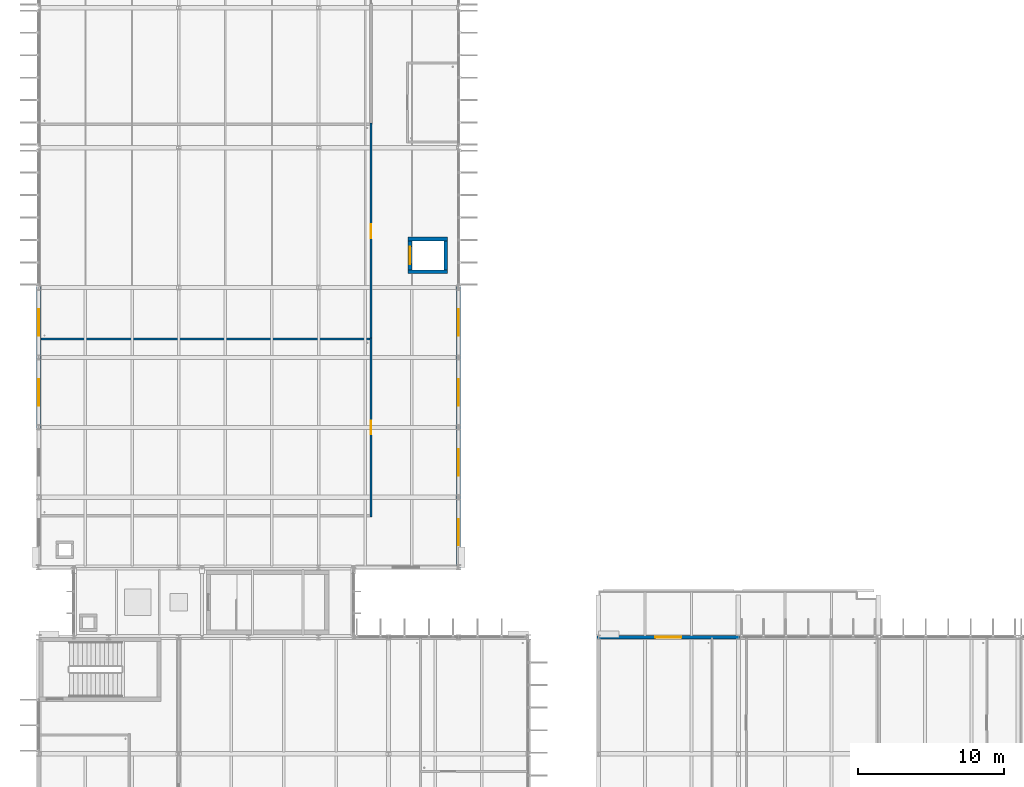
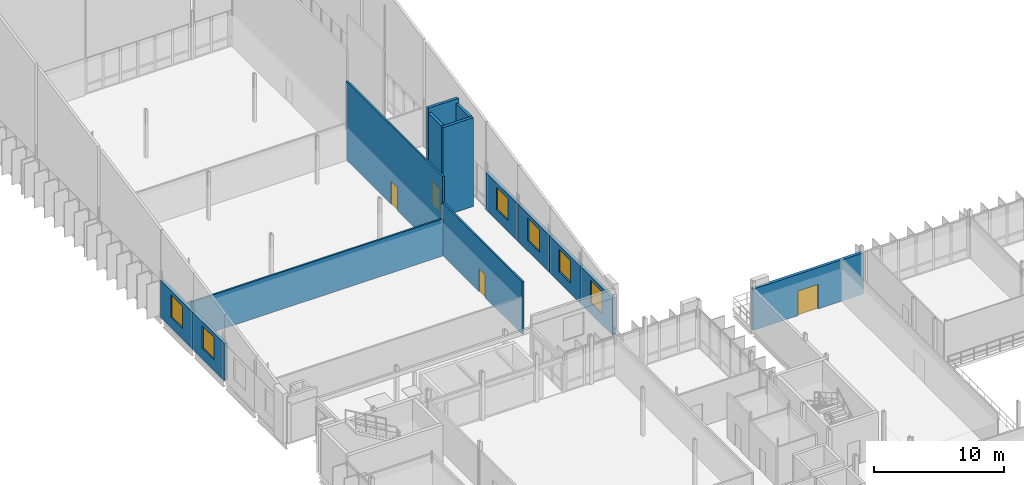
# One storey, part 52 of 93: 14 walls, 6 windows, 4 doors, 10 openings.
"""IFC4 building model written with IfcOpenShell, lengths in metres."""

from ifc_helpers import new_model, si_unit, direction, frame, frame_2d, origin, place, context, subcontext, project, spatial, rectangle, extrude, material, layer, layer_set, type_object, element, fill, save


model = new_model("IFC4")

# Units and contexts
model_context = context("Model", 3, precision=1e-05, world=origin(), true_north=direction((0.0, 1.0)))
body_context = subcontext(model_context, "Body", "Model", "MODEL_VIEW")
ifc_project = project(units=[si_unit("LENGTHUNIT", "METRE"), si_unit("AREAUNIT", "SQUARE_METRE"), si_unit("VOLUMEUNIT", "CUBIC_METRE"), si_unit("PLANEANGLEUNIT", "RADIAN"), si_unit("MASSUNIT", "GRAM", prefix="KILO")], contexts=[model_context])

# Site, building, storey
site_placement = place(None, origin())
site = spatial("IfcSite", under=ifc_project, at=site_placement, CompositionType="ELEMENT")
building_placement = place(site_placement, origin())
building = spatial("IfcBuilding", under=site, at=building_placement, Name="Dunescarp Central Library", CompositionType="ELEMENT")
storey_placement = place(building_placement, frame((0.0, 0.0, 14.10009765625)))
storey = spatial("IfcBuildingStorey", under=building, at=storey_placement, Name="L03", CompositionType="ELEMENT", Elevation=14.10009765625)

# Wall
ifc_material_1 = material(Name="Gypsum plasterboard acoustic partition")
ifc_layer_1 = layer(ifc_material_1, 0.14990234375)
ifc_layer_set_1 = layer_set([ifc_layer_1], Name="Gypsum plasterboard acoustic partition")
wall_type_1 = type_object("IfcWallType", Name="ARC-PT-AC150", PredefinedType="PARTITIONING", material=ifc_layer_set_1)
wall_1_placement = place(storey_placement, frame((0.0400390625, 57.260009765625, 0.0), z_axis=(0.0, 0.0, 1.0), x_axis=(1.0, 0.0, 0.0)))
element("IfcWall", 1, at=wall_1_placement, inside=storey, type_object=wall_type_1, Name="L03 partition PT-L03-0373", PredefinedType="PARTITIONING", context=body_context, shape_type="SweptSolid", body=[
    extrude(rectangle(XDim=22.68505859375, YDim=0.14990234375, at=frame_2d((11.342529296875, 0.0))), origin(), (0.0, 0.0, 1.0), 3.474853515625),
])

# Wall, opening, door
wall_2_placement = place(storey_placement, frame((22.800048828125, 45.06494140625, 0.0), z_axis=(0.0, 0.0, 1.0), x_axis=(0.0, 1.0, 0.0)))
wall_2 = element("IfcWall", 2, at=wall_2_placement, inside=storey, type_object=wall_type_1, Name="L03 partition PT-L03-0374", PredefinedType="PARTITIONING", context=body_context, shape_type="SweptSolid", body=[
    extrude(rectangle(XDim=12.27001953125, YDim=0.14990234375, at=frame_2d((6.135009765625, 0.0))), origin(), (0.0, 0.0, 1.0), 4.928955078125),
])
opening_1_placement = place(wall_2_placement, frame((5.659912109375, 0.0, 0.0)))
opening_1 = element("IfcOpeningElement", 3, at=opening_1_placement, cuts=wall_2, Name="Opening DR-L03-0159", PredefinedType="OPENING", context=body_context, shape_type="SweptSolid", body=[
    extrude(rectangle(XDim=0.949951171875, YDim=2.14990234375, at=frame_2d((0.47509765625, 1.074951171875))), frame((0.0, 0.0849609375, 0.0), z_axis=(0.0, -1.0, 0.0), x_axis=(1.0, 0.0, 0.0)), (0.0, 0.0, 1.0), 0.169921875),
])
ifc_material_2 = material(Name="Hardwood solid-core timber leaf", Category="wood")
door_type_1 = type_object("IfcDoorType", Name="ARC-DR-INT950", OperationType="NOTDEFINED", PredefinedType="DOOR", material=ifc_material_2)
door_1_placement = place(opening_1_placement, origin())
door_1 = element("IfcDoor", 4, at=door_1_placement, inside=storey, type_object=door_type_1, Name="L03 interior door DR-L03-0159", OperationType="SINGLE_SWING_LEFT", OverallHeight=2.14990234375, OverallWidth=0.949951171875, PredefinedType="DOOR", context=body_context, shape_type="SweptSolid", body=[
    extrude(rectangle(XDim=0.949951171875, YDim=2.14990234375, at=frame_2d((0.47509765625, 1.074951171875))), frame((0.0, 0.02490234375, 0.0), z_axis=(0.0, -1.0, 0.0), x_axis=(1.0, 0.0, 0.0)), (0.0, 0.0, 1.0), 0.050048828125),
])
fill(opening_1, door_1)

wall_3_placement = place(storey_placement, frame((22.800048828125, 57.260009765625, 0.0), z_axis=(0.0, 0.0, 1.0), x_axis=(0.0, 1.0, 0.0)))
wall_3 = element("IfcWall", 5, at=wall_3_placement, inside=storey, type_object=wall_type_1, Name="L03 partition PT-L03-0376", PredefinedType="PARTITIONING", context=body_context, shape_type="SweptSolid", body=[
    extrude(rectangle(XDim=14.81494140625, YDim=0.14990234375, at=frame_2d((7.407470703125, 0.0))), origin(), (0.0, 0.0, 1.0), 7.367919921875),
])
opening_2_placement = place(wall_3_placement, frame((6.93310546875, 0.0, 0.0)))
opening_2 = element("IfcOpeningElement", 6, at=opening_2_placement, cuts=wall_3, Name="Opening DR-L03-0160", PredefinedType="OPENING", context=body_context, shape_type="SweptSolid", body=[
    extrude(rectangle(XDim=0.949951171875, YDim=2.14990234375, at=frame_2d((0.47509765625, 1.074951171875))), frame((0.0, 0.0849609375, 0.0), z_axis=(0.0, -1.0, 0.0), x_axis=(1.0, 0.0, 0.0)), (0.0, 0.0, 1.0), 0.169921875),
])
door_2_placement = place(opening_2_placement, origin())
door_2 = element("IfcDoor", 7, at=door_2_placement, inside=storey, type_object=door_type_1, Name="L03 interior door DR-L03-0160", OperationType="SINGLE_SWING_RIGHT", OverallHeight=2.14990234375, OverallWidth=0.949951171875, PredefinedType="DOOR", context=body_context, shape_type="SweptSolid", body=[
    extrude(rectangle(XDim=0.949951171875, YDim=2.14990234375, at=frame_2d((0.47509765625, 1.074951171875))), frame((0.0, 0.02490234375, 0.0), z_axis=(0.0, -1.0, 0.0), x_axis=(1.0, 0.0, 0.0)), (0.0, 0.0, 1.0), 0.050048828125),
])
fill(opening_2, door_2)

ifc_material_3 = material(Name="Glass-fibre reinforced concrete GRC", Category="concrete")
ifc_layer_2 = layer(ifc_material_3, 0.260009765625)
ifc_layer_set_2 = layer_set([ifc_layer_2], Name="Glass-fibre reinforced concrete GRC")
wall_type_2 = type_object("IfcWallType", Name="ARC-WL-GRC260", PredefinedType="SOLIDWALL", material=ifc_layer_set_2)
wall_4_placement = place(storey_placement, frame((38.31494140625, 36.800048828125, 0.0), z_axis=(0.0, 0.0, 1.0), x_axis=(1.0, 0.0, 0.0)))
wall_4 = element("IfcWall", 8, at=wall_4_placement, inside=storey, type_object=wall_type_2, Name="L03 external wall EW-V2-049", PredefinedType="SOLIDWALL", context=body_context, shape_type="SweptSolid", body=[
    extrude(rectangle(XDim=9.77001953125, YDim=0.260009765625, at=frame_2d((4.885009765625, 0.0))), origin(), (0.0, 0.0, 1.0), 3.86181640625),
])
opening_3_placement = place(wall_4_placement, frame((3.985107421875, 0.0, 0.0)))
opening_3 = element("IfcOpeningElement", 9, at=opening_3_placement, cuts=wall_4, Name="Opening TD-L03-V2N", PredefinedType="OPENING", context=body_context, shape_type="SweptSolid", body=[
    extrude(rectangle(XDim=1.800048828125, YDim=2.300048828125, at=frame_2d((0.89990234375, 1.14990234375))), frame((0.0, 0.14013671875, 0.0), z_axis=(0.0, -1.0, 0.0), x_axis=(1.0, 0.0, 0.0)), (0.0, 0.0, 1.0), 0.280029296875),
])
ifc_material_4 = material(Name="Marine-grade anodised aluminium 6063-T6", Category="aluminium")
door_type_2 = type_object("IfcDoorType", Name="ARC-DR-TER1800", OperationType="NOTDEFINED", PredefinedType="DOOR", material=ifc_material_4)
door_3_placement = place(opening_3_placement, origin())
door_3 = element("IfcDoor", 10, at=door_3_placement, inside=storey, type_object=door_type_2, Name="L03 external door TD-L03-V2N", OperationType="SINGLE_SWING_RIGHT", OverallHeight=2.300048828125, OverallWidth=1.800048828125, PredefinedType="DOOR", context=body_context, shape_type="SweptSolid", body=[
    extrude(rectangle(XDim=1.800048828125, YDim=2.300048828125, at=frame_2d((0.89990234375, 1.14990234375))), frame((0.0, 0.02490234375, 0.0), z_axis=(0.0, -1.0, 0.0), x_axis=(1.0, 0.0, 0.0)), (0.0, 0.0, 1.0), 0.050048828125),
])
fill(opening_3, door_3)

# Wall, opening, window
ifc_layer_3 = layer(ifc_material_3, 0.280029296875)
ifc_layer_set_3 = layer_set([ifc_layer_3], Name="Glass-fibre reinforced concrete GRC")
wall_type_3 = type_object("IfcWallType", Name="ARC-WL-GRC280", PredefinedType="SOLIDWALL", material=ifc_layer_set_3)
wall_5_placement = place(storey_placement, frame((28.800048828125, 46.485107421875, 0.0), z_axis=(0.0, 0.0, 1.0), x_axis=(0.0, -1.0, 0.0)))
wall_5 = element("IfcWall", 11, at=wall_5_placement, inside=storey, type_object=wall_type_3, Name="L03 external wall EW-V4-140", PredefinedType="SOLIDWALL", context=body_context, shape_type="SweptSolid", body=[
    extrude(rectangle(XDim=4.97021484375, YDim=0.280029296875, at=frame_2d((2.485107421875, 0.0))), origin(), (0.0, 0.0, 1.0), 3.48193359375),
])
opening_4_placement = place(wall_5_placement, frame((1.5849609375, 0.0, 1.0)))
opening_4 = element("IfcOpeningElement", 12, at=opening_4_placement, cuts=wall_5, Name="Opening WN-039", PredefinedType="OPENING", context=body_context, shape_type="SweptSolid", body=[
    extrude(rectangle(XDim=1.800048828125, YDim=2.10009765625, at=frame_2d((0.89990234375, 1.050048828125))), frame((0.0, 0.14990234375, 0.0), z_axis=(0.0, -1.0, 0.0), x_axis=(1.0, 0.0, 0.0)), (0.0, 0.0, 1.0), 0.300048828125),
])
ifc_material_5 = material(Name="Solar-control laminated double glazing", Category="glass")
window_type = type_object("IfcWindowType", Name="ARC-WN-1800X2100", PartitioningType="SINGLE_PANEL", PredefinedType="WINDOW", material=ifc_material_5)
window_1_placement = place(opening_4_placement, origin())
window_1 = element("IfcWindow", 13, at=window_1_placement, inside=storey, type_object=window_type, Name="L03 window WN-039", OverallHeight=2.10009765625, OverallWidth=1.800048828125, PartitioningType="SINGLE_PANEL", PredefinedType="WINDOW", context=body_context, shape_type="SweptSolid", body=[
    extrude(rectangle(XDim=1.800048828125, YDim=2.10009765625, at=frame_2d((0.89990234375, 1.050048828125))), frame((0.0, 0.030029296875, 0.0), z_axis=(0.0, -1.0, 0.0), x_axis=(1.0, 0.0, 0.0)), (0.0, 0.0, 1.0), 0.06005859375),
])
fill(opening_4, window_1)

wall_6_placement = place(storey_placement, frame((28.800048828125, 51.284912109375, 0.0), z_axis=(0.0, 0.0, 1.0), x_axis=(0.0, -1.0, 0.0)))
wall_6 = element("IfcWall", 14, at=wall_6_placement, inside=storey, type_object=wall_type_3, Name="L03 external wall EW-V4-142", PredefinedType="SOLIDWALL", context=body_context, shape_type="SweptSolid", body=[
    extrude(rectangle(XDim=4.969970703125, YDim=0.280029296875, at=frame_2d((2.48486328125, 0.0))), origin(), (0.0, 0.0, 1.0), 3.48193359375),
])
opening_5_placement = place(wall_6_placement, frame((1.5849609375, 0.0, 1.0)))
opening_5 = element("IfcOpeningElement", 15, at=opening_5_placement, cuts=wall_6, Name="Opening WN-041", PredefinedType="OPENING", context=body_context, shape_type="SweptSolid", body=[
    extrude(rectangle(XDim=1.800048828125, YDim=2.10009765625, at=frame_2d((0.89990234375, 1.050048828125))), frame((0.0, 0.14990234375, 0.0), z_axis=(0.0, -1.0, 0.0), x_axis=(1.0, 0.0, 0.0)), (0.0, 0.0, 1.0), 0.300048828125),
])
window_2_placement = place(opening_5_placement, origin())
window_2 = element("IfcWindow", 16, at=window_2_placement, inside=storey, type_object=window_type, Name="L03 window WN-041", OverallHeight=2.10009765625, OverallWidth=1.800048828125, PartitioningType="SINGLE_PANEL", PredefinedType="WINDOW", context=body_context, shape_type="SweptSolid", body=[
    extrude(rectangle(XDim=1.800048828125, YDim=2.10009765625, at=frame_2d((0.89990234375, 1.050048828125))), frame((0.0, 0.030029296875, 0.0), z_axis=(0.0, -1.0, 0.0), x_axis=(1.0, 0.0, 0.0)), (0.0, 0.0, 1.0), 0.06005859375),
])
fill(opening_5, window_2)

wall_7_placement = place(storey_placement, frame((0.0, 51.114990234375, 0.0), z_axis=(0.0, 0.0, 1.0), x_axis=(0.0, 1.0, 0.0)))
wall_7 = element("IfcWall", 17, at=wall_7_placement, inside=storey, type_object=wall_type_3, Name="L03 external wall EW-V4-143", PredefinedType="SOLIDWALL", context=body_context, shape_type="SweptSolid", body=[
    extrude(rectangle(XDim=4.969970703125, YDim=0.280029296875, at=frame_2d((2.48486328125, 0.0))), origin(), (0.0, 0.0, 1.0), 3.48193359375),
])
opening_6_placement = place(wall_7_placement, frame((1.5849609375, 0.0, 1.0)))
opening_6 = element("IfcOpeningElement", 18, at=opening_6_placement, cuts=wall_7, Name="Opening WN-042", PredefinedType="OPENING", context=body_context, shape_type="SweptSolid", body=[
    extrude(rectangle(XDim=1.800048828125, YDim=2.10009765625, at=frame_2d((0.89990234375, 1.050048828125))), frame((0.0, 0.14990234375, 0.0), z_axis=(0.0, -1.0, 0.0), x_axis=(1.0, 0.0, 0.0)), (0.0, 0.0, 1.0), 0.300048828125),
])
window_3_placement = place(opening_6_placement, origin())
window_3 = element("IfcWindow", 19, at=window_3_placement, inside=storey, type_object=window_type, Name="L03 window WN-042", OverallHeight=2.10009765625, OverallWidth=1.800048828125, PartitioningType="SINGLE_PANEL", PredefinedType="WINDOW", context=body_context, shape_type="SweptSolid", body=[
    extrude(rectangle(XDim=1.800048828125, YDim=2.10009765625, at=frame_2d((0.89990234375, 1.050048828125))), frame((0.0, 0.030029296875, 0.0), z_axis=(0.0, -1.0, 0.0), x_axis=(1.0, 0.0, 0.0)), (0.0, 0.0, 1.0), 0.06005859375),
])
fill(opening_6, window_3)

wall_8_placement = place(storey_placement, frame((28.800048828125, 56.0849609375, 0.0), z_axis=(0.0, 0.0, 1.0), x_axis=(0.0, -1.0, 0.0)))
wall_8 = element("IfcWall", 20, at=wall_8_placement, inside=storey, type_object=wall_type_3, Name="L03 external wall EW-V4-144", PredefinedType="SOLIDWALL", context=body_context, shape_type="SweptSolid", body=[
    extrude(rectangle(XDim=4.969970703125, YDim=0.280029296875, at=frame_2d((2.48486328125, 0.0))), origin(), (0.0, 0.0, 1.0), 3.48193359375),
])
opening_7_placement = place(wall_8_placement, frame((1.5849609375, 0.0, 1.0)))
opening_7 = element("IfcOpeningElement", 21, at=opening_7_placement, cuts=wall_8, Name="Opening WN-043", PredefinedType="OPENING", context=body_context, shape_type="SweptSolid", body=[
    extrude(rectangle(XDim=1.800048828125, YDim=2.10009765625, at=frame_2d((0.89990234375, 1.050048828125))), frame((0.0, 0.14990234375, 0.0), z_axis=(0.0, -1.0, 0.0), x_axis=(1.0, 0.0, 0.0)), (0.0, 0.0, 1.0), 0.300048828125),
])
window_4_placement = place(opening_7_placement, origin())
window_4 = element("IfcWindow", 22, at=window_4_placement, inside=storey, type_object=window_type, Name="L03 window WN-043", OverallHeight=2.10009765625, OverallWidth=1.800048828125, PartitioningType="SINGLE_PANEL", PredefinedType="WINDOW", context=body_context, shape_type="SweptSolid", body=[
    extrude(rectangle(XDim=1.800048828125, YDim=2.10009765625, at=frame_2d((0.89990234375, 1.050048828125))), frame((0.0, 0.030029296875, 0.0), z_axis=(0.0, -1.0, 0.0), x_axis=(1.0, 0.0, 0.0)), (0.0, 0.0, 1.0), 0.06005859375),
])
fill(opening_7, window_4)

wall_9_placement = place(storey_placement, frame((0.0, 55.9150390625, 0.0), z_axis=(0.0, 0.0, 1.0), x_axis=(0.0, 1.0, 0.0)))
wall_9 = element("IfcWall", 23, at=wall_9_placement, inside=storey, type_object=wall_type_3, Name="L03 external wall EW-V4-145", PredefinedType="SOLIDWALL", context=body_context, shape_type="SweptSolid", body=[
    extrude(rectangle(XDim=4.969970703125, YDim=0.280029296875, at=frame_2d((2.48486328125, 0.0))), origin(), (0.0, 0.0, 1.0), 3.48193359375),
])
opening_8_placement = place(wall_9_placement, frame((1.5849609375, 0.0, 1.0)))
opening_8 = element("IfcOpeningElement", 24, at=opening_8_placement, cuts=wall_9, Name="Opening WN-044", PredefinedType="OPENING", context=body_context, shape_type="SweptSolid", body=[
    extrude(rectangle(XDim=1.800048828125, YDim=2.10009765625, at=frame_2d((0.89990234375, 1.050048828125))), frame((0.0, 0.14990234375, 0.0), z_axis=(0.0, -1.0, 0.0), x_axis=(1.0, 0.0, 0.0)), (0.0, 0.0, 1.0), 0.300048828125),
])
window_5_placement = place(opening_8_placement, origin())
window_5 = element("IfcWindow", 25, at=window_5_placement, inside=storey, type_object=window_type, Name="L03 window WN-044", OverallHeight=2.10009765625, OverallWidth=1.800048828125, PartitioningType="SINGLE_PANEL", PredefinedType="WINDOW", context=body_context, shape_type="SweptSolid", body=[
    extrude(rectangle(XDim=1.800048828125, YDim=2.10009765625, at=frame_2d((0.89990234375, 1.050048828125))), frame((0.0, 0.030029296875, 0.0), z_axis=(0.0, -1.0, 0.0), x_axis=(1.0, 0.0, 0.0)), (0.0, 0.0, 1.0), 0.06005859375),
])
fill(opening_8, window_5)

wall_10_placement = place(storey_placement, frame((28.800048828125, 60.885009765625, 0.0), z_axis=(0.0, 0.0, 1.0), x_axis=(0.0, -1.0, 0.0)))
wall_10 = element("IfcWall", 26, at=wall_10_placement, inside=storey, type_object=wall_type_3, Name="L03 external wall EW-V4-146", PredefinedType="SOLIDWALL", context=body_context, shape_type="SweptSolid", body=[
    extrude(rectangle(XDim=4.969970703125, YDim=0.280029296875, at=frame_2d((2.48486328125, 0.0))), origin(), (0.0, 0.0, 1.0), 3.48193359375),
])
opening_9_placement = place(wall_10_placement, frame((1.5849609375, 0.0, 1.0)))
opening_9 = element("IfcOpeningElement", 27, at=opening_9_placement, cuts=wall_10, Name="Opening WN-045", PredefinedType="OPENING", context=body_context, shape_type="SweptSolid", body=[
    extrude(rectangle(XDim=1.800048828125, YDim=2.10009765625, at=frame_2d((0.89990234375, 1.050048828125))), frame((0.0, 0.14990234375, 0.0), z_axis=(0.0, -1.0, 0.0), x_axis=(1.0, 0.0, 0.0)), (0.0, 0.0, 1.0), 0.300048828125),
])
window_6_placement = place(opening_9_placement, origin())
window_6 = element("IfcWindow", 28, at=window_6_placement, inside=storey, type_object=window_type, Name="L03 window WN-045", OverallHeight=2.10009765625, OverallWidth=1.800048828125, PartitioningType="SINGLE_PANEL", PredefinedType="WINDOW", context=body_context, shape_type="SweptSolid", body=[
    extrude(rectangle(XDim=1.800048828125, YDim=2.10009765625, at=frame_2d((0.89990234375, 1.050048828125))), frame((0.0, 0.030029296875, 0.0), z_axis=(0.0, -1.0, 0.0), x_axis=(1.0, 0.0, 0.0)), (0.0, 0.0, 1.0), 0.06005859375),
])
fill(opening_9, window_6)

# Walls
ifc_material_6 = material(Name="Concrete C40/50", Category="concrete")
ifc_layer_4 = layer(ifc_material_6, 0.25)
ifc_layer_set_4 = layer_set([ifc_layer_4], Name="Concrete C40/50")
wall_type_4 = type_object("IfcWallType", Name="STR-WL-CORE250", PredefinedType="SHEAR", material=ifc_layer_set_4)
wall_11_placement = place(storey_placement, frame((28.050048828125, 61.875, 0.0), z_axis=(0.0, 0.0, 1.0), x_axis=(-1.0, 0.0, 0.0)))
element("IfcWall", 29, at=wall_11_placement, inside=storey, type_object=wall_type_4, Name="L03 PL-4 lift shaft wall S", PredefinedType="SHEAR", context=body_context, shape_type="SweptSolid", body=[
    extrude(rectangle(XDim=2.699951171875, YDim=0.25, at=frame_2d((1.35009765625, 0.0))), origin(), (0.0, 0.0, 1.0), 8.305908203125),
])
wall_12_placement = place(storey_placement, frame((25.35009765625, 64.125, 0.0), z_axis=(0.0, 0.0, 1.0), x_axis=(1.0, 0.0, 0.0)))
element("IfcWall", 30, at=wall_12_placement, inside=storey, type_object=wall_type_4, Name="L03 PL-4 lift shaft wall N", PredefinedType="SHEAR", context=body_context, shape_type="SweptSolid", body=[
    extrude(rectangle(XDim=2.699951171875, YDim=0.25, at=frame_2d((1.35009765625, 0.0))), origin(), (0.0, 0.0, 1.0), 8.755859375),
])

# Wall, opening, door
wall_13_placement = place(storey_placement, frame((25.47509765625, 62.0, 0.0), z_axis=(0.0, 0.0, 1.0), x_axis=(0.0, 1.0, 0.0)))
wall_13 = element("IfcWall", 31, at=wall_13_placement, inside=storey, type_object=wall_type_4, Name="L03 PL-4 lift shaft wall W", PredefinedType="SHEAR", context=body_context, shape_type="SweptSolid", body=[
    extrude(rectangle(XDim=2.0, YDim=0.25, at=frame_2d((1.0, 0.0))), origin(), (0.0, 0.0, 1.0), 8.330810546875),
])
opening_10_placement = place(wall_13_placement, frame((0.39990234375, 0.0, 0.0)))
opening_10 = element("IfcOpeningElement", 32, at=opening_10_placement, cuts=wall_13, Name="Opening LD-PL-4-L03", PredefinedType="OPENING", context=body_context, shape_type="SweptSolid", body=[
    extrude(rectangle(XDim=1.199951171875, YDim=2.199951171875, at=frame_2d((0.60009765625, 1.10009765625))), frame((0.0, 0.135009765625, 0.0), z_axis=(0.0, -1.0, 0.0), x_axis=(1.0, 0.0, 0.0)), (0.0, 0.0, 1.0), 0.27001953125),
])
ifc_material_7 = material(Name="Stainless steel Grade 316L", Category="steel")
door_type_3 = type_object("IfcDoorType", Name="ARC-DR-LD1200", OperationType="DOUBLE_DOOR_SLIDING", PredefinedType="DOOR", material=ifc_material_7)
door_4_placement = place(opening_10_placement, origin())
door_4 = element("IfcDoor", 33, at=door_4_placement, inside=storey, type_object=door_type_3, Name="L03 PL-4 lift landing door", OperationType="DOUBLE_DOOR_SLIDING", OverallHeight=2.199951171875, OverallWidth=1.199951171875, PredefinedType="DOOR", context=body_context, shape_type="SweptSolid", body=[
    extrude(rectangle(XDim=1.199951171875, YDim=2.199951171875, at=frame_2d((0.60009765625, 1.10009765625))), frame((0.0, 0.02490234375, 0.0), z_axis=(0.0, -1.0, 0.0), x_axis=(1.0, 0.0, 0.0)), (0.0, 0.0, 1.0), 0.050048828125),
])
fill(opening_10, door_4)

# Wall
wall_14_placement = place(storey_placement, frame((27.925048828125, 64.0, 0.0), z_axis=(0.0, 0.0, 1.0), x_axis=(0.0, -1.0, 0.0)))
element("IfcWall", 34, at=wall_14_placement, inside=storey, type_object=wall_type_4, Name="L03 PL-4 lift shaft wall E", PredefinedType="SHEAR", context=body_context, shape_type="SweptSolid", body=[
    extrude(rectangle(XDim=2.0, YDim=0.25, at=frame_2d((1.0, 0.0))), origin(), (0.0, 0.0, 1.0), 8.330810546875),
])

save(model, "model.ifc")
